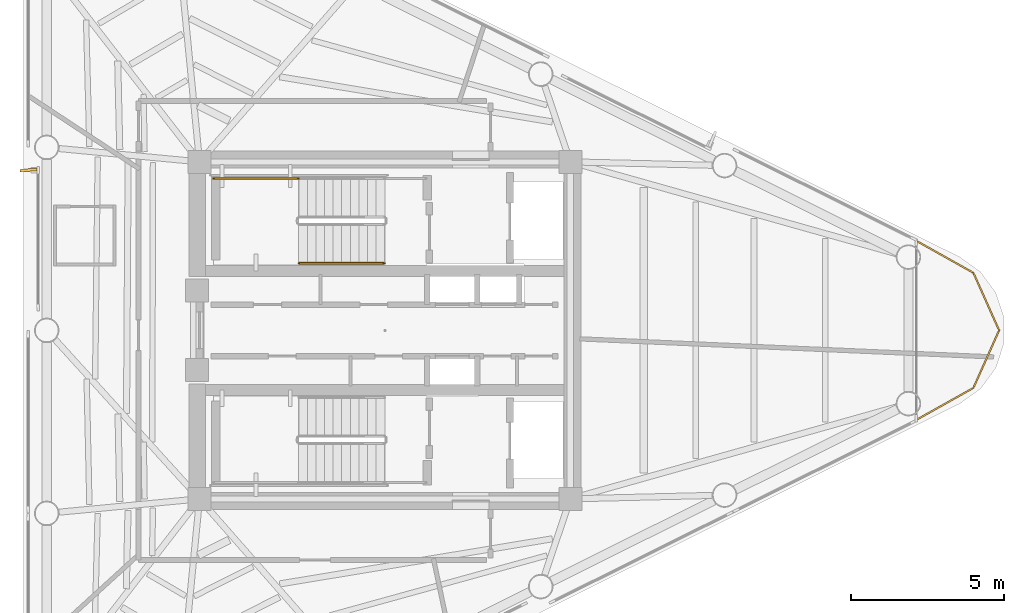
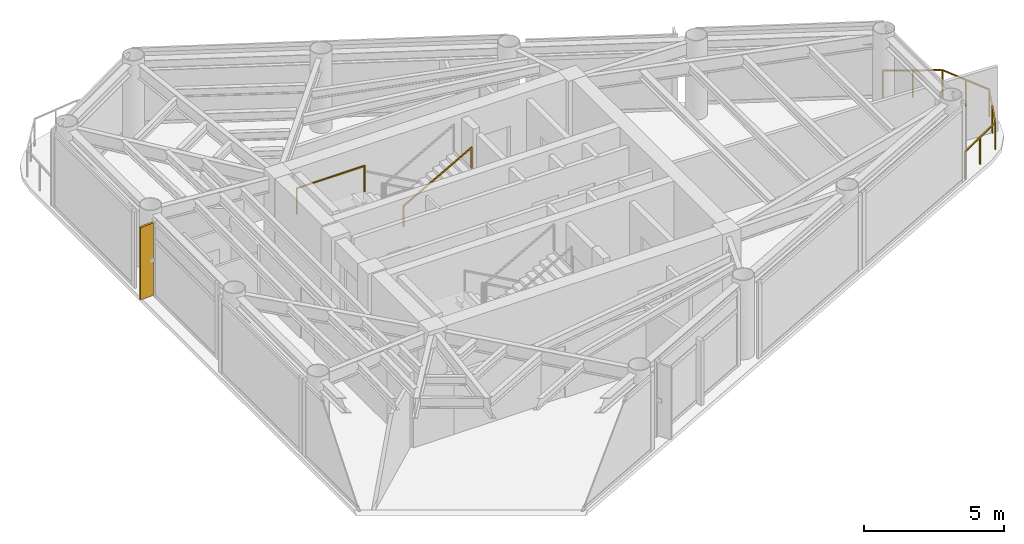
# One storey, part 9 of 10: 3 railings, 1 shading device.
"""IFC4 building model written with IfcOpenShell, lengths in metres."""

from ifc_helpers import new_model, si_unit, direction, frame, origin, origin_2d, place, context, subcontext, project, spatial, rectangle, extrude, source, transform, mapped, material, material_profile, profile_set, type_object, element, save


model = new_model("IFC4")

# Units and contexts
model_context = context("Model", 3, precision=1e-05, world=origin(), true_north=direction((0.0, 1.0)))
body_context = subcontext(model_context, "Body", "Model", "MODEL_VIEW")
ifc_project = project(units=[si_unit("LENGTHUNIT", "METRE"), si_unit("AREAUNIT", "SQUARE_METRE"), si_unit("VOLUMEUNIT", "CUBIC_METRE"), si_unit("PLANEANGLEUNIT", "RADIAN"), si_unit("MASSUNIT", "GRAM", prefix="KILO")], contexts=[model_context])

# Site, building, storey
site_placement = place(None, origin())
site = spatial("IfcSite", under=ifc_project, at=site_placement, CompositionType="ELEMENT")
building_placement = place(site_placement, origin())
building = spatial("IfcBuilding", under=site, at=building_placement, Name="Yunling Apex Tower", CompositionType="ELEMENT")
storey_placement = place(building_placement, frame((0.0, 0.0, 293.300048828125)))
storey = spatial("IfcBuildingStorey", under=building, at=storey_placement, Name="L71", CompositionType="ELEMENT", Elevation=293.300048828125)

# Railings
ifc_material_1 = material(Name="Bronze anodised aluminium", Category="aluminium")
railing_type_1 = type_object("IfcRailingType", Name="RL-BAL-1200", PredefinedType="BALUSTRADE", material=ifc_material_1)
railing_1_placement = place(storey_placement, frame((17.349365234375, 2.919677734375, 0.0)))
element("IfcRailing", 1, at=railing_1_placement, inside=storey, type_object=railing_type_1, Name="RL-CRNSILL-L71-1", PredefinedType="BALUSTRADE", context=body_context, shape_type="SweptSolid", body=[
    extrude(rectangle(XDim=0.0439453125, YDim=0.0439453125, at=origin_2d()), origin(), (0.0, 0.0, 1.0), 1.199951171875),
    extrude(rectangle(XDim=0.0439453125, YDim=0.0439453125, at=origin_2d()), frame((1.85791015625, -1.040771484375, 0.0)), (0.0, 0.0, 1.0), 1.199951171875),
    extrude(rectangle(XDim=0.050048828125, YDim=0.050048828125, at=origin_2d()), frame((0.033447265625, -0.018798828125, 1.1748046875), z_axis=(0.872437584312, -0.488725548216, 0.0), x_axis=(0.488725548216, 0.872437584312, 0.0)), (0.0, 0.0, 1.0), 2.052978515625),
    extrude(rectangle(XDim=0.0439453125, YDim=0.0439453125, at=origin_2d()), frame((0.928955078125, -0.5205078125, 0.0)), (0.0, 0.0, 1.0), 1.14599609375),
    extrude(rectangle(XDim=0.0439453125, YDim=0.0439453125, at=origin_2d()), frame((2.697021484375, -2.919677734375, 0.0)), (0.0, 0.0, 1.0), 1.199951171875),
    extrude(rectangle(XDim=0.050048828125, YDim=0.050048828125, at=origin_2d()), frame((1.87353515625, -1.07568359375, 1.1748046875), z_axis=(0.407778028912, -0.913081091216, 0.0), x_axis=(0.913081091216, 0.407778028912, 0.0)), (0.0, 0.0, 1.0), 1.981201171875),
    extrude(rectangle(XDim=0.0439453125, YDim=0.0439453125, at=origin_2d()), frame((2.27734375, -1.980224609375, 0.0)), (0.0, 0.0, 1.0), 1.14599609375),
    extrude(rectangle(XDim=0.0439453125, YDim=0.0439453125, at=origin_2d()), frame((1.85791015625, -4.798583984375, 0.0)), (0.0, 0.0, 1.0), 1.199951171875),
    extrude(rectangle(XDim=0.050048828125, YDim=0.050048828125, at=origin_2d()), frame((2.681396484375, -2.95458984375, 1.1748046875), z_axis=(-0.407778028912, -0.913081091216, 0.0), x_axis=(0.913081091216, -0.407778028912, 0.0)), (0.0, 0.0, 1.0), 1.981201171875),
    extrude(rectangle(XDim=0.0439453125, YDim=0.0439453125, at=origin_2d()), frame((2.27734375, -3.859130859375, 0.0)), (0.0, 0.0, 1.0), 1.14599609375),
    extrude(rectangle(XDim=0.0439453125, YDim=0.0439453125, at=origin_2d()), frame((0.0, -5.83935546875, 0.0)), (0.0, 0.0, 1.0), 1.199951171875),
    extrude(rectangle(XDim=0.050048828125, YDim=0.050048828125, at=origin_2d()), frame((1.824462890625, -4.8173828125, 1.1748046875), z_axis=(-0.872437584312, -0.488725548216, 0.0), x_axis=(0.488725548216, -0.872437584312, 0.0)), (0.0, 0.0, 1.0), 2.052978515625),
    extrude(rectangle(XDim=0.0439453125, YDim=0.0439453125, at=origin_2d()), frame((0.928955078125, -5.31884765625, 0.0)), (0.0, 0.0, 1.0), 1.14599609375),
])
ifc_material_2 = material(Name="Steel Q355B", Category="steel")
railing_type_2 = type_object("IfcRailingType", Name="RL-GRD-1150", PredefinedType="GUARDRAIL", material=ifc_material_2)
railing_2_placement = place(storey_placement, frame((-2.81005859375, 4.9599609375, 1.724853515625)))
element("IfcRailing", 2, at=railing_2_placement, inside=storey, type_object=railing_type_2, Name="L71 ST-1 stair guard 3", PredefinedType="GUARDRAIL", context=body_context, shape_type="SweptSolid", body=[
    extrude(rectangle(XDim=0.0439453125, YDim=0.0439453125, at=origin_2d()), origin(), (0.0, 0.0, 1.0), 1.14990234375),
    extrude(rectangle(XDim=0.0439453125, YDim=0.0439453125, at=origin_2d()), frame((-2.7900390625, 0.0, 0.0)), (0.0, 0.0, 1.0), 1.14990234375),
    extrude(rectangle(XDim=0.050048828125, YDim=0.050048828125, at=origin_2d()), frame((-0.038330078125, 0.0, 1.125), z_axis=(-1.0, 0.0, 0.0), x_axis=(0.0, -1.0, 0.0)), (0.0, 0.0, 1.0), 2.71337890625),
])
ifc_material_3 = material(Name="Silver anodised aluminium", Category="aluminium")
railing_type_3 = type_object("IfcRailingType", Name="RL-HND-900", PredefinedType="HANDRAIL", material=ifc_material_3)
railing_3_placement = place(storey_placement, frame((-2.81005859375, 2.18994140625, 1.8818359375)))
element("IfcRailing", 3, at=railing_3_placement, inside=storey, type_object=railing_type_3, Name="L71 ST-1 stair handrail 2", PredefinedType="HANDRAIL", context=body_context, shape_type="SweptSolid", body=[
    extrude(rectangle(XDim=0.0439453125, YDim=0.0439453125, at=origin_2d()), origin(), (0.0, 0.0, 1.0), 0.919921875),
    extrude(rectangle(XDim=0.0439453125, YDim=0.0439453125, at=origin_2d()), frame((2.800048828125, 0.0, 1.568115234375)), (0.0, 0.0, 1.0), 0.919921875),
    extrude(rectangle(XDim=0.050048828125, YDim=0.050048828125, at=origin_2d()), frame((0.033447265625, 0.0, 0.91357421875), z_axis=(0.872494340497, 0.0, 0.48862421737), x_axis=(0.0, 1.0, 0.0)), (0.0, 0.0, 1.0), 3.132568359375),
])

# Shading device
ifc_material_profile = material_profile(ifc_material_1, rectangle(XDim=0.0849609375, YDim=0.550048828125, at=origin_2d()))
ifc_profile_set = profile_set([ifc_material_profile], Name="Bronze anodised aluminium")
shading_device_type = type_object("IfcShadingDeviceType", Name="FN-BRZ-3", PredefinedType="USERDEFINED", material=ifc_profile_set)
shared_shape = source(origin(), body_context, "Body", "SweptSolid", [
    extrude(rectangle(XDim=0.0849609375, YDim=0.550048828125, at=origin_2d()), origin(), (0.0, 0.0, 1.0), 3.14990234375),
])
shading_device_placement = place(storey_placement, frame((-11.63232421875, 5.232666015625, 0.06005859375), z_axis=(0.0, 0.0, 1.0), x_axis=(0.06540312923, -0.997858923239, 0.0)))
element("IfcShadingDevice", 4, at=shading_device_placement, inside=storey, type_object=shading_device_type, Name="CW-L71-F3-B2-FIN-01", ObjectType="FIN", PredefinedType="USERDEFINED", context=body_context, shape_type="MappedRepresentation", body=[
    mapped(shared_shape, transform((0.0, 0.0, 0.0), scale=1.0)),
])

save(model, "model.ifc")
